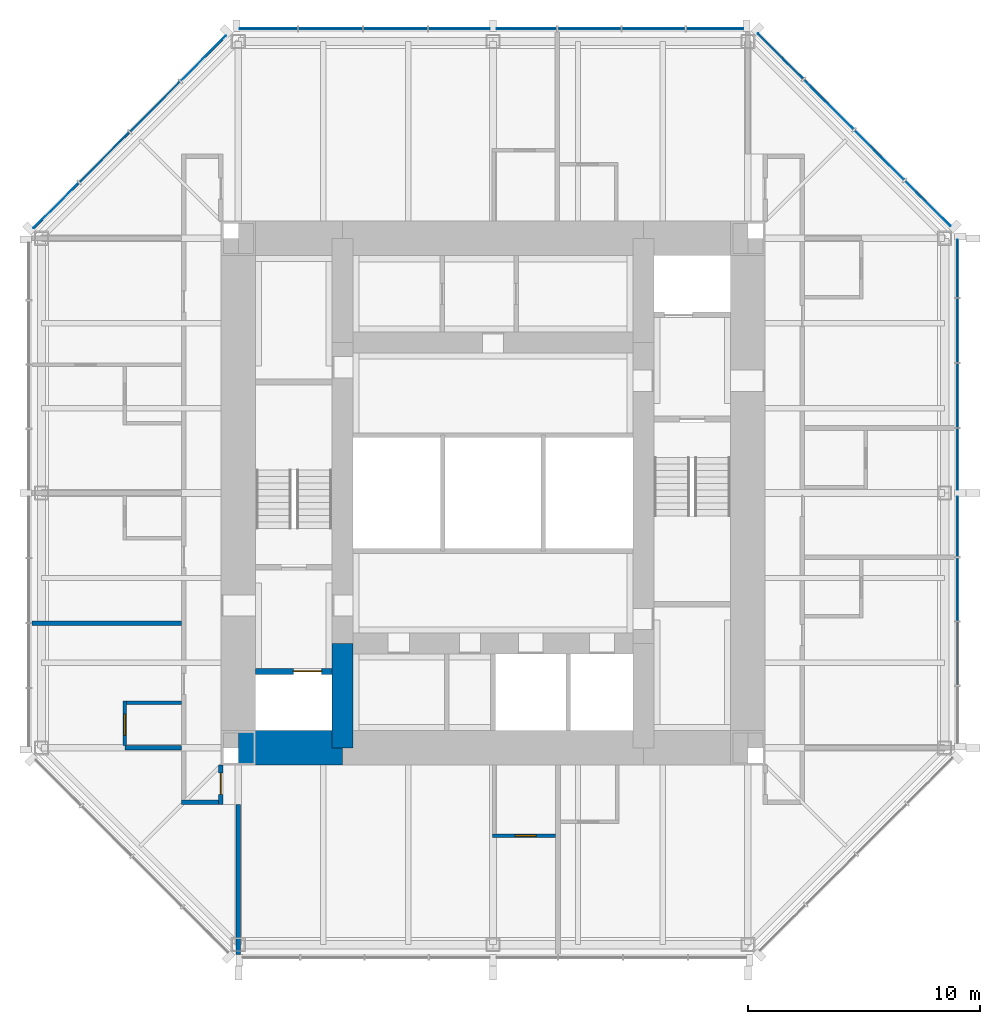
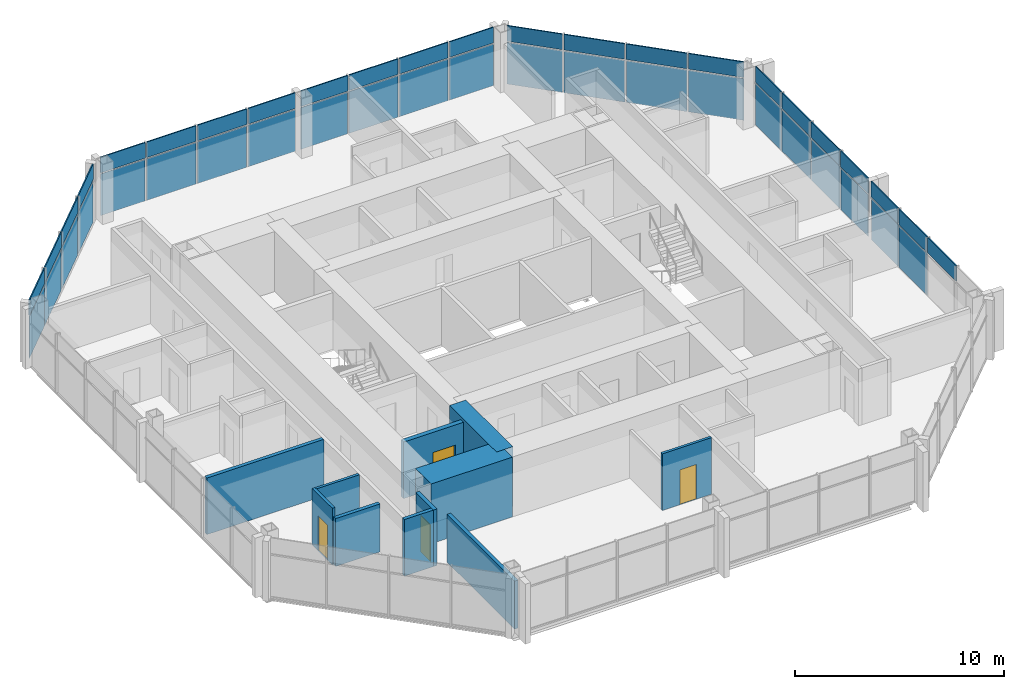
# One storey, part 7 of 11: 45 plates, 11 walls, 4 doors, 4 openings, 4 elements without a shape of their own.
"""IFC4 building model written with IfcOpenShell, lengths in metres."""

from ifc_helpers import new_model, si_unit, direction, frame, frame_2d, origin, origin_2d, place, context, subcontext, project, spatial, rectangle, extrude, material, layer, layer_set, type_object, element, fill, aggregate, save


model = new_model("IFC4")

# Units and contexts
model_context = context("Model", 3, precision=1e-05, world=origin(), true_north=direction((0.0, 1.0)))
body_context = subcontext(model_context, "Body", "Model", "MODEL_VIEW")
ifc_project = project(units=[si_unit("LENGTHUNIT", "METRE"), si_unit("AREAUNIT", "SQUARE_METRE"), si_unit("VOLUMEUNIT", "CUBIC_METRE"), si_unit("PLANEANGLEUNIT", "RADIAN"), si_unit("MASSUNIT", "GRAM", prefix="KILO")], contexts=[model_context])

# Site, building, storey
site_placement = place(None, origin())
site = spatial("IfcSite", under=ifc_project, at=site_placement, CompositionType="ELEMENT")
building_placement = place(site_placement, origin())
building = spatial("IfcBuilding", under=site, at=building_placement, Name="Trevanion Tower", CompositionType="ELEMENT")
storey_placement = place(building_placement, frame((0.0, 0.0, 246.699951171875)))
storey = spatial("IfcBuildingStorey", under=building, at=storey_placement, Name="L60", CompositionType="ELEMENT", Elevation=246.699951171875)

# Curtain wall, plates
ifc_material_1 = material(Name="Aluminium and glass", Category="aluminium")
curtain_wall_type = type_object("IfcCurtainWallType", Name="CW3 curtain wall", PredefinedType="USERDEFINED", material=ifc_material_1)
curtain_wall_1_placement = place(storey_placement, origin())
curtain_wall_1 = element("IfcCurtainWall", 1, at=curtain_wall_1_placement, inside=storey, type_object=curtain_wall_type, Name="CW3 L60 0", ObjectType="UNITISED CURTAIN WALL", PredefinedType="USERDEFINED")
ifc_material_2 = material(Name="Aluminium spandrel panel", Category="aluminium")
ifc_layer_1 = layer(ifc_material_2, 0.06005859375)
ifc_layer_set_1 = layer_set([ifc_layer_1], Name="CW3 spandrel panel")
plate_type_1 = type_object("IfcPlateType", Name="CW3 spandrel panel", PredefinedType="CURTAIN_PANEL", material=ifc_layer_set_1)
plate_1_placement = place(storey_placement, frame((20.050048828125, -6.93603515625, 2.3974609375), z_axis=(0.0, 0.0, 1.0), x_axis=(0.0, 1.0, 0.0)))
plate_1 = element("IfcPlate", 2, at=plate_1_placement, type_object=plate_type_1, Name="CW3 panel 2.2", PredefinedType="CURTAIN_PANEL", context=body_context, shape_type="SweptSolid", body=[
    extrude(rectangle(XDim=2.699462890625, YDim=0.06005859375, at=origin_2d()), origin(), (0.0, 0.0, 1.0), 0.91259765625),
])
plate_2_placement = place(storey_placement, frame((20.050048828125, -4.16162109375, 2.3974609375), z_axis=(0.0, 0.0, 1.0), x_axis=(0.0, 1.0, 0.0)))
plate_2 = element("IfcPlate", 3, at=plate_2_placement, type_object=plate_type_1, Name="CW3 panel 3.2", PredefinedType="CURTAIN_PANEL", context=body_context, shape_type="SweptSolid", body=[
    extrude(rectangle(XDim=2.699462890625, YDim=0.06005859375, at=origin_2d()), origin(), (0.0, 0.0, 1.0), 0.91259765625),
])
plate_3_placement = place(storey_placement, frame((20.050048828125, -1.443603515625, 2.3974609375), z_axis=(0.0, 0.0, 1.0), x_axis=(0.0, 1.0, 0.0)))
plate_3 = element("IfcPlate", 4, at=plate_3_placement, type_object=plate_type_1, Name="CW3 panel 4.2", PredefinedType="CURTAIN_PANEL", context=body_context, shape_type="SweptSolid", body=[
    extrude(rectangle(XDim=2.5869140625, YDim=0.06005859375, at=origin_2d()), origin(), (0.0, 0.0, 1.0), 0.91259765625),
])
plate_4_placement = place(storey_placement, frame((20.050048828125, 1.459716796875, 2.3974609375), z_axis=(0.0, 0.0, 1.0), x_axis=(0.0, 1.0, 0.0)))
plate_4 = element("IfcPlate", 5, at=plate_4_placement, type_object=plate_type_1, Name="CW3 panel 5.2", PredefinedType="CURTAIN_PANEL", context=body_context, shape_type="SweptSolid", body=[
    extrude(rectangle(XDim=2.619384765625, YDim=0.06005859375, at=origin_2d()), origin(), (0.0, 0.0, 1.0), 0.91259765625),
])
plate_5_placement = place(storey_placement, frame((20.050048828125, 4.21044921875, 2.3974609375), z_axis=(0.0, 0.0, 1.0), x_axis=(0.0, 1.0, 0.0)))
plate_5 = element("IfcPlate", 6, at=plate_5_placement, type_object=plate_type_1, Name="CW3 panel 6.2", PredefinedType="CURTAIN_PANEL", context=body_context, shape_type="SweptSolid", body=[
    extrude(rectangle(XDim=2.73193359375, YDim=0.06005859375, at=origin_2d()), origin(), (0.0, 0.0, 1.0), 0.91259765625),
])
plate_6_placement = place(storey_placement, frame((20.050048828125, 7.017333984375, 2.3974609375), z_axis=(0.0, 0.0, 1.0), x_axis=(0.0, 1.0, 0.0)))
plate_6 = element("IfcPlate", 7, at=plate_6_placement, type_object=plate_type_1, Name="CW3 panel 7.2", PredefinedType="CURTAIN_PANEL", context=body_context, shape_type="SweptSolid", body=[
    extrude(rectangle(XDim=2.73193359375, YDim=0.06005859375, at=origin_2d()), origin(), (0.0, 0.0, 1.0), 0.91259765625),
])
plate_7_placement = place(storey_placement, frame((20.050048828125, 9.693115234375, 2.3974609375), z_axis=(0.0, 0.0, 1.0), x_axis=(0.0, 1.0, 0.0)))
plate_7 = element("IfcPlate", 8, at=plate_7_placement, type_object=plate_type_1, Name="CW3 panel 8.2", PredefinedType="CURTAIN_PANEL", context=body_context, shape_type="SweptSolid", body=[
    extrude(rectangle(XDim=2.469482421875, YDim=0.06005859375, at=origin_2d()), origin(), (0.0, 0.0, 1.0), 0.91259765625),
])

curtain_wall_2_placement = place(storey_placement, origin())
curtain_wall_2 = element("IfcCurtainWall", 9, at=curtain_wall_2_placement, inside=storey, type_object=curtain_wall_type, Name="CW3 L60 1", ObjectType="UNITISED CURTAIN WALL", PredefinedType="USERDEFINED")
plate_8_placement = place(storey_placement, frame((18.77392578125, 12.50390625, 2.3974609375), z_axis=(0.0, 0.0, 1.0), x_axis=(-0.707106781187, 0.707106781187, 0.0)))
plate_8 = element("IfcPlate", 10, at=plate_8_placement, type_object=plate_type_1, Name="CW3 panel 1.2", PredefinedType="CURTAIN_PANEL", context=body_context, shape_type="SweptSolid", body=[
    extrude(rectangle(XDim=2.7490234375, YDim=0.06005859375, at=origin_2d()), origin(), (0.0, 0.0, 1.0), 0.91259765625),
])
plate_9_placement = place(storey_placement, frame((16.68408203125, 14.593505859375, 2.3974609375), z_axis=(0.0, 0.0, 1.0), x_axis=(-0.707106781187, 0.707106781187, 0.0)))
plate_9 = element("IfcPlate", 11, at=plate_9_placement, type_object=plate_type_1, Name="CW3 panel 2.2", PredefinedType="CURTAIN_PANEL", context=body_context, shape_type="SweptSolid", body=[
    extrude(rectangle(XDim=3.01171875, YDim=0.06005859375, at=origin_2d()), origin(), (0.0, 0.0, 1.0), 0.91259765625),
])
plate_10_placement = place(storey_placement, frame((14.501708984375, 16.776123046875, 2.3974609375), z_axis=(0.0, 0.0, 1.0), x_axis=(-0.707106781187, 0.707106781187, 0.0)))
plate_10 = element("IfcPlate", 12, at=plate_10_placement, type_object=plate_type_1, Name="CW3 panel 3.2", PredefinedType="CURTAIN_PANEL", context=body_context, shape_type="SweptSolid", body=[
    extrude(rectangle(XDim=3.01171875, YDim=0.06005859375, at=origin_2d()), origin(), (0.0, 0.0, 1.0), 0.91259765625),
])
plate_11_placement = place(storey_placement, frame((12.411865234375, 18.865966796875, 2.3974609375), z_axis=(0.0, 0.0, 1.0), x_axis=(-0.707106781187, 0.707106781187, 0.0)))
plate_11 = element("IfcPlate", 13, at=plate_11_placement, type_object=plate_type_1, Name="CW3 panel 4.2", PredefinedType="CURTAIN_PANEL", context=body_context, shape_type="SweptSolid", body=[
    extrude(rectangle(XDim=2.7490234375, YDim=0.06005859375, at=origin_2d()), origin(), (0.0, 0.0, 1.0), 0.91259765625),
])

curtain_wall_3_placement = place(storey_placement, origin())
curtain_wall_3 = element("IfcCurtainWall", 14, at=curtain_wall_3_placement, inside=storey, type_object=curtain_wall_type, Name="CW3 L60 2", ObjectType="UNITISED CURTAIN WALL", PredefinedType="USERDEFINED")
plate_12_placement = place(storey_placement, frame((9.579345703125, 20.050048828125, 2.3974609375), z_axis=(0.0, 0.0, 1.0), x_axis=(-1.0, 0.0, 0.0)))
plate_12 = element("IfcPlate", 15, at=plate_12_placement, type_object=plate_type_1, Name="CW3 panel 1.2", PredefinedType="CURTAIN_PANEL", context=body_context, shape_type="SweptSolid", body=[
    extrude(rectangle(XDim=2.43701171875, YDim=0.06005859375, at=origin_2d()), origin(), (0.0, 0.0, 1.0), 0.91259765625),
])
plate_13_placement = place(storey_placement, frame((6.93603515625, 20.050048828125, 2.3974609375), z_axis=(0.0, 0.0, 1.0), x_axis=(-1.0, 0.0, 0.0)))
plate_13 = element("IfcPlate", 16, at=plate_13_placement, type_object=plate_type_1, Name="CW3 panel 2.2", PredefinedType="CURTAIN_PANEL", context=body_context, shape_type="SweptSolid", body=[
    extrude(rectangle(XDim=2.699462890625, YDim=0.06005859375, at=origin_2d()), origin(), (0.0, 0.0, 1.0), 0.91259765625),
])
plate_14_placement = place(storey_placement, frame((4.16162109375, 20.050048828125, 2.3974609375), z_axis=(0.0, 0.0, 1.0), x_axis=(-1.0, 0.0, 0.0)))
plate_14 = element("IfcPlate", 17, at=plate_14_placement, type_object=plate_type_1, Name="CW3 panel 3.2", PredefinedType="CURTAIN_PANEL", context=body_context, shape_type="SweptSolid", body=[
    extrude(rectangle(XDim=2.699462890625, YDim=0.06005859375, at=origin_2d()), origin(), (0.0, 0.0, 1.0), 0.91259765625),
])
plate_15_placement = place(storey_placement, frame((1.443603515625, 20.050048828125, 2.3974609375), z_axis=(0.0, 0.0, 1.0), x_axis=(-1.0, 0.0, 0.0)))
plate_15 = element("IfcPlate", 18, at=plate_15_placement, type_object=plate_type_1, Name="CW3 panel 4.2", PredefinedType="CURTAIN_PANEL", context=body_context, shape_type="SweptSolid", body=[
    extrude(rectangle(XDim=2.5869140625, YDim=0.06005859375, at=origin_2d()), origin(), (0.0, 0.0, 1.0), 0.91259765625),
])
plate_16_placement = place(storey_placement, frame((-1.459716796875, 20.050048828125, 2.3974609375), z_axis=(0.0, 0.0, 1.0), x_axis=(-1.0, 0.0, 0.0)))
plate_16 = element("IfcPlate", 19, at=plate_16_placement, type_object=plate_type_1, Name="CW3 panel 5.2", PredefinedType="CURTAIN_PANEL", context=body_context, shape_type="SweptSolid", body=[
    extrude(rectangle(XDim=2.619384765625, YDim=0.06005859375, at=origin_2d()), origin(), (0.0, 0.0, 1.0), 0.91259765625),
])
plate_17_placement = place(storey_placement, frame((-4.21044921875, 20.050048828125, 2.3974609375), z_axis=(0.0, 0.0, 1.0), x_axis=(-1.0, 0.0, 0.0)))
plate_17 = element("IfcPlate", 20, at=plate_17_placement, type_object=plate_type_1, Name="CW3 panel 6.2", PredefinedType="CURTAIN_PANEL", context=body_context, shape_type="SweptSolid", body=[
    extrude(rectangle(XDim=2.73193359375, YDim=0.06005859375, at=origin_2d()), origin(), (0.0, 0.0, 1.0), 0.91259765625),
])
plate_18_placement = place(storey_placement, frame((-7.017333984375, 20.050048828125, 2.3974609375), z_axis=(0.0, 0.0, 1.0), x_axis=(-1.0, 0.0, 0.0)))
plate_18 = element("IfcPlate", 21, at=plate_18_placement, type_object=plate_type_1, Name="CW3 panel 7.2", PredefinedType="CURTAIN_PANEL", context=body_context, shape_type="SweptSolid", body=[
    extrude(rectangle(XDim=2.73193359375, YDim=0.06005859375, at=origin_2d()), origin(), (0.0, 0.0, 1.0), 0.91259765625),
])
plate_19_placement = place(storey_placement, frame((-9.693115234375, 20.050048828125, 2.3974609375), z_axis=(0.0, 0.0, 1.0), x_axis=(-1.0, 0.0, 0.0)))
plate_19 = element("IfcPlate", 22, at=plate_19_placement, type_object=plate_type_1, Name="CW3 panel 8.2", PredefinedType="CURTAIN_PANEL", context=body_context, shape_type="SweptSolid", body=[
    extrude(rectangle(XDim=2.469482421875, YDim=0.06005859375, at=origin_2d()), origin(), (0.0, 0.0, 1.0), 0.91259765625),
])

curtain_wall_4_placement = place(storey_placement, origin())
curtain_wall_4 = element("IfcCurtainWall", 23, at=curtain_wall_4_placement, inside=storey, type_object=curtain_wall_type, Name="CW3 L60 3", ObjectType="UNITISED CURTAIN WALL", PredefinedType="USERDEFINED")
plate_20_placement = place(storey_placement, frame((-12.50390625, 18.77392578125, 2.3974609375), z_axis=(0.0, 0.0, 1.0), x_axis=(-0.707106781187, -0.707106781187, 0.0)))
plate_20 = element("IfcPlate", 24, at=plate_20_placement, type_object=plate_type_1, Name="CW3 panel 1.2", PredefinedType="CURTAIN_PANEL", context=body_context, shape_type="SweptSolid", body=[
    extrude(rectangle(XDim=2.7490234375, YDim=0.06005859375, at=origin_2d()), origin(), (0.0, 0.0, 1.0), 0.91259765625),
])
plate_21_placement = place(storey_placement, frame((-14.593505859375, 16.68408203125, 2.3974609375), z_axis=(0.0, 0.0, 1.0), x_axis=(-0.707106781187, -0.707106781187, 0.0)))
plate_21 = element("IfcPlate", 25, at=plate_21_placement, type_object=plate_type_1, Name="CW3 panel 2.2", PredefinedType="CURTAIN_PANEL", context=body_context, shape_type="SweptSolid", body=[
    extrude(rectangle(XDim=3.01171875, YDim=0.06005859375, at=origin_2d()), origin(), (0.0, 0.0, 1.0), 0.91259765625),
])
plate_22_placement = place(storey_placement, frame((-16.776123046875, 14.501708984375, 2.3974609375), z_axis=(0.0, 0.0, 1.0), x_axis=(-0.707106781187, -0.707106781187, 0.0)))
plate_22 = element("IfcPlate", 26, at=plate_22_placement, type_object=plate_type_1, Name="CW3 panel 3.2", PredefinedType="CURTAIN_PANEL", context=body_context, shape_type="SweptSolid", body=[
    extrude(rectangle(XDim=3.01171875, YDim=0.06005859375, at=origin_2d()), origin(), (0.0, 0.0, 1.0), 0.91259765625),
])
plate_23_placement = place(storey_placement, frame((-18.865966796875, 12.411865234375, 2.3974609375), z_axis=(0.0, 0.0, 1.0), x_axis=(-0.707106781187, -0.707106781187, 0.0)))
plate_23 = element("IfcPlate", 27, at=plate_23_placement, type_object=plate_type_1, Name="CW3 panel 4.2", PredefinedType="CURTAIN_PANEL", context=body_context, shape_type="SweptSolid", body=[
    extrude(rectangle(XDim=2.7490234375, YDim=0.06005859375, at=origin_2d()), origin(), (0.0, 0.0, 1.0), 0.91259765625),
])

# Plate
ifc_material_3 = material(Name="Insulating glass unit", Category="glass")
ifc_layer_2 = layer(ifc_material_3, 0.028076171875)
ifc_layer_set_2 = layer_set([ifc_layer_2], Name="CW3 vision panel")
plate_type_2 = type_object("IfcPlateType", Name="CW3 vision panel", PredefinedType="CURTAIN_PANEL", material=ifc_layer_set_2)
plate_24_placement = place(storey_placement, frame((20.050048828125, -4.16162109375, -0.114990234375), z_axis=(0.0, 0.0, 1.0), x_axis=(0.0, 1.0, 0.0)))
plate_24 = element("IfcPlate", 28, at=plate_24_placement, type_object=plate_type_2, Name="CW3 panel 3.1", PredefinedType="CURTAIN_PANEL", context=body_context, shape_type="SweptSolid", body=[
    extrude(rectangle(XDim=2.699462890625, YDim=0.028076171875, at=origin_2d()), origin(), (0.0, 0.0, 1.0), 2.4375),
])

plate_25_placement = place(storey_placement, frame((20.050048828125, -1.443603515625, -0.114990234375), z_axis=(0.0, 0.0, 1.0), x_axis=(0.0, 1.0, 0.0)))
plate_25 = element("IfcPlate", 29, at=plate_25_placement, type_object=plate_type_2, Name="CW3 panel 4.1", PredefinedType="CURTAIN_PANEL", context=body_context, shape_type="SweptSolid", body=[
    extrude(rectangle(XDim=2.5869140625, YDim=0.028076171875, at=origin_2d()), origin(), (0.0, 0.0, 1.0), 2.4375),
])

plate_26_placement = place(storey_placement, frame((20.050048828125, 1.459716796875, -0.114990234375), z_axis=(0.0, 0.0, 1.0), x_axis=(0.0, 1.0, 0.0)))
plate_26 = element("IfcPlate", 30, at=plate_26_placement, type_object=plate_type_2, Name="CW3 panel 5.1", PredefinedType="CURTAIN_PANEL", context=body_context, shape_type="SweptSolid", body=[
    extrude(rectangle(XDim=2.619384765625, YDim=0.028076171875, at=origin_2d()), origin(), (0.0, 0.0, 1.0), 2.4375),
])

plate_27_placement = place(storey_placement, frame((20.050048828125, 4.21044921875, -0.114990234375), z_axis=(0.0, 0.0, 1.0), x_axis=(0.0, 1.0, 0.0)))
plate_27 = element("IfcPlate", 31, at=plate_27_placement, type_object=plate_type_2, Name="CW3 panel 6.1", PredefinedType="CURTAIN_PANEL", context=body_context, shape_type="SweptSolid", body=[
    extrude(rectangle(XDim=2.73193359375, YDim=0.028076171875, at=origin_2d()), origin(), (0.0, 0.0, 1.0), 2.4375),
])

plate_28_placement = place(storey_placement, frame((20.050048828125, 7.017333984375, -0.114990234375), z_axis=(0.0, 0.0, 1.0), x_axis=(0.0, 1.0, 0.0)))
plate_28 = element("IfcPlate", 32, at=plate_28_placement, type_object=plate_type_2, Name="CW3 panel 7.1", PredefinedType="CURTAIN_PANEL", context=body_context, shape_type="SweptSolid", body=[
    extrude(rectangle(XDim=2.73193359375, YDim=0.028076171875, at=origin_2d()), origin(), (0.0, 0.0, 1.0), 2.4375),
])

plate_29_placement = place(storey_placement, frame((20.050048828125, 9.693115234375, -0.114990234375), z_axis=(0.0, 0.0, 1.0), x_axis=(0.0, 1.0, 0.0)))
plate_29 = element("IfcPlate", 33, at=plate_29_placement, type_object=plate_type_2, Name="CW3 panel 8.1", PredefinedType="CURTAIN_PANEL", context=body_context, shape_type="SweptSolid", body=[
    extrude(rectangle(XDim=2.469482421875, YDim=0.028076171875, at=origin_2d()), origin(), (0.0, 0.0, 1.0), 2.4375),
])

aggregate(curtain_wall_1, [plate_1, plate_24, plate_2, plate_25, plate_3, plate_26, plate_4, plate_27, plate_5, plate_28, plate_6, plate_29, plate_7])

plate_30_placement = place(storey_placement, frame((18.77392578125, 12.50390625, -0.114990234375), z_axis=(0.0, 0.0, 1.0), x_axis=(-0.707106781187, 0.707106781187, 0.0)))
plate_30 = element("IfcPlate", 34, at=plate_30_placement, type_object=plate_type_2, Name="CW3 panel 1.1", PredefinedType="CURTAIN_PANEL", context=body_context, shape_type="SweptSolid", body=[
    extrude(rectangle(XDim=2.7490234375, YDim=0.028076171875, at=origin_2d()), origin(), (0.0, 0.0, 1.0), 2.4375),
])

plate_31_placement = place(storey_placement, frame((16.68408203125, 14.593505859375, -0.114990234375), z_axis=(0.0, 0.0, 1.0), x_axis=(-0.707106781187, 0.707106781187, 0.0)))
plate_31 = element("IfcPlate", 35, at=plate_31_placement, type_object=plate_type_2, Name="CW3 panel 2.1", PredefinedType="CURTAIN_PANEL", context=body_context, shape_type="SweptSolid", body=[
    extrude(rectangle(XDim=3.01171875, YDim=0.028076171875, at=origin_2d()), origin(), (0.0, 0.0, 1.0), 2.4375),
])

plate_32_placement = place(storey_placement, frame((14.501708984375, 16.776123046875, -0.114990234375), z_axis=(0.0, 0.0, 1.0), x_axis=(-0.707106781187, 0.707106781187, 0.0)))
plate_32 = element("IfcPlate", 36, at=plate_32_placement, type_object=plate_type_2, Name="CW3 panel 3.1", PredefinedType="CURTAIN_PANEL", context=body_context, shape_type="SweptSolid", body=[
    extrude(rectangle(XDim=3.01171875, YDim=0.028076171875, at=origin_2d()), origin(), (0.0, 0.0, 1.0), 2.4375),
])

plate_33_placement = place(storey_placement, frame((12.411865234375, 18.865966796875, -0.114990234375), z_axis=(0.0, 0.0, 1.0), x_axis=(-0.707106781187, 0.707106781187, 0.0)))
plate_33 = element("IfcPlate", 37, at=plate_33_placement, type_object=plate_type_2, Name="CW3 panel 4.1", PredefinedType="CURTAIN_PANEL", context=body_context, shape_type="SweptSolid", body=[
    extrude(rectangle(XDim=2.7490234375, YDim=0.028076171875, at=origin_2d()), origin(), (0.0, 0.0, 1.0), 2.4375),
])

aggregate(curtain_wall_2, [plate_30, plate_8, plate_31, plate_9, plate_32, plate_10, plate_33, plate_11])

plate_34_placement = place(storey_placement, frame((9.579345703125, 20.050048828125, -0.114990234375), z_axis=(0.0, 0.0, 1.0), x_axis=(-1.0, 0.0, 0.0)))
plate_34 = element("IfcPlate", 38, at=plate_34_placement, type_object=plate_type_2, Name="CW3 panel 1.1", PredefinedType="CURTAIN_PANEL", context=body_context, shape_type="SweptSolid", body=[
    extrude(rectangle(XDim=2.43701171875, YDim=0.028076171875, at=origin_2d()), origin(), (0.0, 0.0, 1.0), 2.4375),
])

plate_35_placement = place(storey_placement, frame((6.93603515625, 20.050048828125, -0.114990234375), z_axis=(0.0, 0.0, 1.0), x_axis=(-1.0, 0.0, 0.0)))
plate_35 = element("IfcPlate", 39, at=plate_35_placement, type_object=plate_type_2, Name="CW3 panel 2.1", PredefinedType="CURTAIN_PANEL", context=body_context, shape_type="SweptSolid", body=[
    extrude(rectangle(XDim=2.699462890625, YDim=0.028076171875, at=origin_2d()), origin(), (0.0, 0.0, 1.0), 2.4375),
])

plate_36_placement = place(storey_placement, frame((4.16162109375, 20.050048828125, -0.114990234375), z_axis=(0.0, 0.0, 1.0), x_axis=(-1.0, 0.0, 0.0)))
plate_36 = element("IfcPlate", 40, at=plate_36_placement, type_object=plate_type_2, Name="CW3 panel 3.1", PredefinedType="CURTAIN_PANEL", context=body_context, shape_type="SweptSolid", body=[
    extrude(rectangle(XDim=2.699462890625, YDim=0.028076171875, at=origin_2d()), origin(), (0.0, 0.0, 1.0), 2.4375),
])

plate_37_placement = place(storey_placement, frame((1.443603515625, 20.050048828125, -0.114990234375), z_axis=(0.0, 0.0, 1.0), x_axis=(-1.0, 0.0, 0.0)))
plate_37 = element("IfcPlate", 41, at=plate_37_placement, type_object=plate_type_2, Name="CW3 panel 4.1", PredefinedType="CURTAIN_PANEL", context=body_context, shape_type="SweptSolid", body=[
    extrude(rectangle(XDim=2.5869140625, YDim=0.028076171875, at=origin_2d()), origin(), (0.0, 0.0, 1.0), 2.4375),
])

plate_38_placement = place(storey_placement, frame((-1.459716796875, 20.050048828125, -0.114990234375), z_axis=(0.0, 0.0, 1.0), x_axis=(-1.0, 0.0, 0.0)))
plate_38 = element("IfcPlate", 42, at=plate_38_placement, type_object=plate_type_2, Name="CW3 panel 5.1", PredefinedType="CURTAIN_PANEL", context=body_context, shape_type="SweptSolid", body=[
    extrude(rectangle(XDim=2.619384765625, YDim=0.028076171875, at=origin_2d()), origin(), (0.0, 0.0, 1.0), 2.4375),
])

plate_39_placement = place(storey_placement, frame((-4.21044921875, 20.050048828125, -0.114990234375), z_axis=(0.0, 0.0, 1.0), x_axis=(-1.0, 0.0, 0.0)))
plate_39 = element("IfcPlate", 43, at=plate_39_placement, type_object=plate_type_2, Name="CW3 panel 6.1", PredefinedType="CURTAIN_PANEL", context=body_context, shape_type="SweptSolid", body=[
    extrude(rectangle(XDim=2.73193359375, YDim=0.028076171875, at=origin_2d()), origin(), (0.0, 0.0, 1.0), 2.4375),
])

plate_40_placement = place(storey_placement, frame((-7.017333984375, 20.050048828125, -0.114990234375), z_axis=(0.0, 0.0, 1.0), x_axis=(-1.0, 0.0, 0.0)))
plate_40 = element("IfcPlate", 44, at=plate_40_placement, type_object=plate_type_2, Name="CW3 panel 7.1", PredefinedType="CURTAIN_PANEL", context=body_context, shape_type="SweptSolid", body=[
    extrude(rectangle(XDim=2.73193359375, YDim=0.028076171875, at=origin_2d()), origin(), (0.0, 0.0, 1.0), 2.4375),
])

plate_41_placement = place(storey_placement, frame((-9.693115234375, 20.050048828125, -0.114990234375), z_axis=(0.0, 0.0, 1.0), x_axis=(-1.0, 0.0, 0.0)))
plate_41 = element("IfcPlate", 45, at=plate_41_placement, type_object=plate_type_2, Name="CW3 panel 8.1", PredefinedType="CURTAIN_PANEL", context=body_context, shape_type="SweptSolid", body=[
    extrude(rectangle(XDim=2.469482421875, YDim=0.028076171875, at=origin_2d()), origin(), (0.0, 0.0, 1.0), 2.4375),
])

aggregate(curtain_wall_3, [plate_34, plate_12, plate_35, plate_13, plate_36, plate_14, plate_37, plate_15, plate_38, plate_16, plate_39, plate_17, plate_40, plate_18, plate_41, plate_19])

plate_42_placement = place(storey_placement, frame((-12.50390625, 18.77392578125, -0.114990234375), z_axis=(0.0, 0.0, 1.0), x_axis=(-0.707106781187, -0.707106781187, 0.0)))
plate_42 = element("IfcPlate", 46, at=plate_42_placement, type_object=plate_type_2, Name="CW3 panel 1.1", PredefinedType="CURTAIN_PANEL", context=body_context, shape_type="SweptSolid", body=[
    extrude(rectangle(XDim=2.7490234375, YDim=0.028076171875, at=origin_2d()), origin(), (0.0, 0.0, 1.0), 2.4375),
])

plate_43_placement = place(storey_placement, frame((-14.593505859375, 16.68408203125, -0.114990234375), z_axis=(0.0, 0.0, 1.0), x_axis=(-0.707106781187, -0.707106781187, 0.0)))
plate_43 = element("IfcPlate", 47, at=plate_43_placement, type_object=plate_type_2, Name="CW3 panel 2.1", PredefinedType="CURTAIN_PANEL", context=body_context, shape_type="SweptSolid", body=[
    extrude(rectangle(XDim=3.01171875, YDim=0.028076171875, at=origin_2d()), origin(), (0.0, 0.0, 1.0), 2.4375),
])

plate_44_placement = place(storey_placement, frame((-16.776123046875, 14.501708984375, -0.114990234375), z_axis=(0.0, 0.0, 1.0), x_axis=(-0.707106781187, -0.707106781187, 0.0)))
plate_44 = element("IfcPlate", 48, at=plate_44_placement, type_object=plate_type_2, Name="CW3 panel 3.1", PredefinedType="CURTAIN_PANEL", context=body_context, shape_type="SweptSolid", body=[
    extrude(rectangle(XDim=3.01171875, YDim=0.028076171875, at=origin_2d()), origin(), (0.0, 0.0, 1.0), 2.4375),
])

plate_45_placement = place(storey_placement, frame((-18.865966796875, 12.411865234375, -0.114990234375), z_axis=(0.0, 0.0, 1.0), x_axis=(-0.707106781187, -0.707106781187, 0.0)))
plate_45 = element("IfcPlate", 49, at=plate_45_placement, type_object=plate_type_2, Name="CW3 panel 4.1", PredefinedType="CURTAIN_PANEL", context=body_context, shape_type="SweptSolid", body=[
    extrude(rectangle(XDim=2.7490234375, YDim=0.028076171875, at=origin_2d()), origin(), (0.0, 0.0, 1.0), 2.4375),
])

aggregate(curtain_wall_4, [plate_42, plate_20, plate_43, plate_21, plate_44, plate_22, plate_45, plate_23])

# Walls
ifc_material_4 = material(Name="Concrete 10,000 psi", Category="concrete")
ifc_layer_3 = layer(ifc_material_4, 1.5)
ifc_layer_set_3 = layer_set([ifc_layer_3], Name="CW1 core wall 1500")
wall_type_1 = type_object("IfcWallType", Name="CW1 core wall 1500", PredefinedType="SHEAR", material=ifc_layer_set_3)
wall_1_placement = place(storey_placement, frame((-11.0, -11.0, 0.0), z_axis=(0.0, 0.0, 1.0), x_axis=(1.0, 0.0, 0.0)))
element("IfcWall", 50, at=wall_1_placement, inside=storey, type_object=wall_type_1, Name="CW1 CS1 L60", PredefinedType="SHEAR", context=body_context, shape_type="SweptSolid", body=[
    extrude(rectangle(XDim=4.5, YDim=1.5, at=frame_2d((2.25, 0.0))), origin(), (0.0, 0.0, 1.0), 3.5),
])
ifc_material_5 = material(Name="Concrete 10,000 psi", Category="concrete")
ifc_layer_4 = layer(ifc_material_5, 0.89990234375)
ifc_layer_set_4 = layer_set([ifc_layer_4], Name="CW2 core wall 900")
wall_type_2 = type_object("IfcWallType", Name="CW2 core wall 900", PredefinedType="SHEAR", material=ifc_layer_set_4)
wall_2_placement = place(storey_placement, frame((-6.5, -6.5, 0.0), z_axis=(0.0, 0.0, 1.0), x_axis=(0.0, -1.0, 0.0)))
element("IfcWall", 51, at=wall_2_placement, inside=storey, type_object=wall_type_2, Name="CW2 RW3 L60", PredefinedType="SHEAR", context=body_context, shape_type="SweptSolid", body=[
    extrude(rectangle(XDim=4.5, YDim=0.89990234375, at=frame_2d((2.25, 0.0))), origin(), (0.0, 0.0, 1.0), 3.5),
])

# Wall, opening, door
ifc_material_6 = material(Name="Gypsum board on steel studs", Category="steel")
ifc_layer_5 = layer(ifc_material_6, 0.14990234375)
ifc_layer_set_5 = layer_set([ifc_layer_5], Name="PT1 partition 150")
wall_type_3 = type_object("IfcWallType", Name="PT1 partition 150", PredefinedType="PARTITIONING", material=ifc_layer_set_5)
wall_3_placement = place(storey_placement, frame((-15.89990234375, -8.97509765625, 0.0), z_axis=(0.0, 0.0, 1.0), x_axis=(0.0, -1.0, 0.0)))
wall_3 = element("IfcWall", 52, at=wall_3_placement, inside=storey, type_object=wall_type_3, Name="PT1 L60 BA22", PredefinedType="PARTITIONING", context=body_context, shape_type="SweptSolid", body=[
    extrude(rectangle(XDim=1.9248046875, YDim=0.14990234375, at=frame_2d((0.96240234375, 0.0))), origin(), (0.0, 0.0, 1.0), 3.31005859375),
])
opening_1_placement = place(wall_3_placement, frame((0.5673828125, 0.0, 0.0)))
opening_1 = element("IfcOpeningElement", 53, at=opening_1_placement, cuts=wall_3, Name="Opening 60-033", PredefinedType="OPENING", context=body_context, shape_type="SweptSolid", body=[
    extrude(rectangle(XDim=0.9150390625, YDim=2.031982421875, at=frame_2d((0.45751953125, 1.01611328125))), frame((0.0, 0.0849609375, 0.0), z_axis=(0.0, -1.0, 0.0), x_axis=(1.0, 0.0, 0.0)), (0.0, 0.0, 1.0), 0.169921875),
])
ifc_material_7 = material(Name="Timber veneer", Category="wood")
door_type_1 = type_object("IfcDoorType", Name="D7 bathroom door", OperationType="SINGLE_SWING_LEFT", PredefinedType="DOOR", material=ifc_material_7)
door_1_placement = place(opening_1_placement, origin())
door_1 = element("IfcDoor", 54, at=door_1_placement, inside=storey, type_object=door_type_1, Name="Door 60-033", OperationType="SINGLE_SWING_LEFT", OverallHeight=2.031982421875, OverallWidth=0.9150390625, PredefinedType="DOOR", context=body_context, shape_type="SweptSolid", body=[
    extrude(rectangle(XDim=0.9150390625, YDim=2.031982421875, at=frame_2d((0.45751953125, 1.01611328125))), frame((0.0, 0.02490234375, 0.0), z_axis=(0.0, -1.0, 0.0), x_axis=(1.0, 0.0, 0.0)), (0.0, 0.0, 1.0), 0.050048828125),
])
fill(opening_1, door_1)

# Wall
wall_4_placement = place(storey_placement, frame((-13.449951171875, -9.050048828125, 0.0), z_axis=(0.0, 0.0, 1.0), x_axis=(-1.0, 0.0, 0.0)))
element("IfcWall", 55, at=wall_4_placement, inside=storey, type_object=wall_type_3, Name="PT1 L60 BB22", PredefinedType="PARTITIONING", context=body_context, shape_type="SweptSolid", body=[
    extrude(rectangle(XDim=2.375, YDim=0.14990234375, at=frame_2d((1.1875, 0.0))), origin(), (0.0, 0.0, 1.0), 3.31005859375),
])

# Wall, opening, door
wall_5_placement = place(storey_placement, frame((-0.01806640625, -14.800048828125, 0.0), z_axis=(0.0, 0.0, 1.0), x_axis=(1.0, 0.0, 0.0)))
wall_5 = element("IfcWall", 56, at=wall_5_placement, inside=storey, type_object=wall_type_3, Name="PT1 L60 BA30", PredefinedType="PARTITIONING", context=body_context, shape_type="SweptSolid", body=[
    extrude(rectangle(XDim=2.72509765625, YDim=0.14990234375, at=frame_2d((1.362548828125, 0.0))), origin(), (0.0, 0.0, 1.0), 3.31005859375),
])
opening_2_placement = place(wall_5_placement, frame((0.967529296875, 0.0, 0.0)))
opening_2 = element("IfcOpeningElement", 57, at=opening_2_placement, cuts=wall_5, Name="Opening 60-037", PredefinedType="OPENING", context=body_context, shape_type="SweptSolid", body=[
    extrude(rectangle(XDim=0.9150390625, YDim=2.031982421875, at=frame_2d((0.45751953125, 1.01611328125))), frame((0.0, 0.0849609375, 0.0), z_axis=(0.0, -1.0, 0.0), x_axis=(1.0, 0.0, 0.0)), (0.0, 0.0, 1.0), 0.169921875),
])
door_2_placement = place(opening_2_placement, origin())
door_2 = element("IfcDoor", 58, at=door_2_placement, inside=storey, type_object=door_type_1, Name="Door 60-037", OperationType="SINGLE_SWING_LEFT", OverallHeight=2.031982421875, OverallWidth=0.9150390625, PredefinedType="DOOR", context=body_context, shape_type="SweptSolid", body=[
    extrude(rectangle(XDim=0.9150390625, YDim=2.031982421875, at=frame_2d((0.45751953125, 1.01611328125))), frame((0.0, 0.02490234375, 0.0), z_axis=(0.0, -1.0, 0.0), x_axis=(1.0, 0.0, 0.0)), (0.0, 0.0, 1.0), 0.050048828125),
])
fill(opening_2, door_2)

ifc_material_8 = material(Name="Concrete masonry, grouted", Category="masonry")
ifc_layer_6 = layer(ifc_material_8, 0.199951171875)
ifc_layer_set_6 = layer_set([ifc_layer_6], Name="PT2 partition 200 1 HR")
wall_type_4 = type_object("IfcWallType", Name="PT2 partition 200 1 HR", PredefinedType="PARTITIONING", material=ifc_layer_set_6)
wall_6_placement = place(storey_placement, frame((-11.75, -11.75, 0.0), z_axis=(0.0, 0.0, 1.0), x_axis=(0.0, -1.0, 0.0)))
wall_6 = element("IfcWall", 59, at=wall_6_placement, inside=storey, type_object=wall_type_4, Name="PT2 L60 HO3a", PredefinedType="PARTITIONING", context=body_context, shape_type="SweptSolid", body=[
    extrude(rectangle(XDim=1.699951171875, YDim=0.199951171875, at=frame_2d((0.85009765625, 0.0))), origin(), (0.0, 0.0, 1.0), 3.31005859375),
])
opening_3_placement = place(wall_6_placement, frame((0.342529296875, 0.0, 0.0)))
opening_3 = element("IfcOpeningElement", 60, at=opening_3_placement, cuts=wall_6, Name="Opening 60-035", PredefinedType="OPENING", context=body_context, shape_type="SweptSolid", body=[
    extrude(rectangle(XDim=0.9150390625, YDim=2.134033203125, at=frame_2d((0.45751953125, 1.06689453125))), frame((0.0, 0.10986328125, 0.0), z_axis=(0.0, -1.0, 0.0), x_axis=(1.0, 0.0, 0.0)), (0.0, 0.0, 1.0), 0.219970703125),
])
ifc_material_9 = material(Name="Timber veneer, fire rated", Category="wood")
door_type_2 = type_object("IfcDoorType", Name="D6 guest room entrance door", OperationType="SINGLE_SWING_LEFT", PredefinedType="DOOR", material=ifc_material_9)
door_3_placement = place(opening_3_placement, origin())
door_3 = element("IfcDoor", 61, at=door_3_placement, inside=storey, type_object=door_type_2, Name="Door 60-035", OperationType="SINGLE_SWING_LEFT", OverallHeight=2.134033203125, OverallWidth=0.9150390625, PredefinedType="DOOR", context=body_context, shape_type="SweptSolid", body=[
    extrude(rectangle(XDim=0.9150390625, YDim=2.134033203125, at=frame_2d((0.45751953125, 1.06689453125))), frame((0.0, 0.02490234375, 0.0), z_axis=(0.0, -1.0, 0.0), x_axis=(1.0, 0.0, 0.0)), (0.0, 0.0, 1.0), 0.050048828125),
])
fill(opening_3, door_3)

# Walls
wall_7_placement = place(storey_placement, frame((-13.449951171875, -13.35009765625, 0.0), z_axis=(0.0, 0.0, 1.0), x_axis=(1.0, 0.0, 0.0)))
element("IfcWall", 62, at=wall_7_placement, inside=storey, type_object=wall_type_4, Name="PT2 L60 HC3ca", PredefinedType="PARTITIONING", context=body_context, shape_type="SweptSolid", body=[
    extrude(rectangle(XDim=1.599853515625, YDim=0.199951171875, at=frame_2d((0.7998046875, 0.0))), origin(), (0.0, 0.0, 1.0), 3.31005859375),
])
wall_8_placement = place(storey_placement, frame((-13.449951171875, -5.614013671875, 0.0), z_axis=(0.0, 0.0, 1.0), x_axis=(-1.0, 0.0, 0.0)))
element("IfcWall", 63, at=wall_8_placement, inside=storey, type_object=wall_type_4, Name="PT2 L60 HD22", PredefinedType="PARTITIONING", context=body_context, shape_type="SweptSolid", body=[
    extrude(rectangle(XDim=6.465087890625, YDim=0.199951171875, at=frame_2d((3.232421875, 0.0))), origin(), (0.0, 0.0, 1.0), 3.31005859375),
])
wall_9_placement = place(storey_placement, frame((-13.449951171875, -11.0, 0.0), z_axis=(0.0, 0.0, 1.0), x_axis=(-1.0, 0.0, 0.0)))
element("IfcWall", 64, at=wall_9_placement, inside=storey, type_object=wall_type_4, Name="PT2 L60 BC22", PredefinedType="PARTITIONING", context=body_context, shape_type="SweptSolid", body=[
    extrude(rectangle(XDim=2.449951171875, YDim=0.199951171875, at=frame_2d((1.22509765625, 0.0))), origin(), (0.0, 0.0, 1.0), 2.802001953125),
])
wall_10_placement = place(storey_placement, frame((-11.0, -13.449951171875, 0.0), z_axis=(0.0, 0.0, 1.0), x_axis=(0.0, -1.0, 0.0)))
element("IfcWall", 65, at=wall_10_placement, inside=storey, type_object=wall_type_4, Name="PT2 L60 HD30", PredefinedType="PARTITIONING", context=body_context, shape_type="SweptSolid", body=[
    extrude(rectangle(XDim=6.465087890625, YDim=0.199951171875, at=frame_2d((3.232421875, 0.0))), origin(), (0.0, 0.0, 1.0), 2.802001953125),
])

# Wall, opening, door
ifc_material_10 = material(Name="Concrete masonry, grouted, two-hour", Category="masonry")
ifc_layer_7 = layer(ifc_material_10, 0.25)
ifc_layer_set_7 = layer_set([ifc_layer_7], Name="PT3 partition 250 2 HR")
wall_type_5 = type_object("IfcWallType", Name="PT3 partition 250 2 HR", PredefinedType="PARTITIONING", material=ifc_layer_set_7)
wall_11_placement = place(storey_placement, frame((-6.949951171875, -7.699951171875, 0.0), z_axis=(0.0, 0.0, 1.0), x_axis=(-1.0, 0.0, 0.0)))
wall_11 = element("IfcWall", 66, at=wall_11_placement, inside=storey, type_object=wall_type_5, Name="PT3 L60 WP3", PredefinedType="PARTITIONING", context=body_context, shape_type="SweptSolid", body=[
    extrude(rectangle(XDim=3.300048828125, YDim=0.25, at=frame_2d((1.64990234375, 0.0))), origin(), (0.0, 0.0, 1.0), 3.31005859375),
])
opening_4_placement = place(wall_11_placement, frame((0.449951171875, 0.0, 0.0)))
opening_4 = element("IfcOpeningElement", 67, at=opening_4_placement, cuts=wall_11, Name="Opening 60-008", PredefinedType="OPENING", context=body_context, shape_type="SweptSolid", body=[
    extrude(rectangle(XDim=1.218994140625, YDim=2.134033203125, at=frame_2d((0.609375, 1.06689453125))), frame((0.0, 0.135009765625, 0.0), z_axis=(0.0, -1.0, 0.0), x_axis=(1.0, 0.0, 0.0)), (0.0, 0.0, 1.0), 0.27001953125),
])
ifc_material_11 = material(Name="Stainless steel, fire rated", Category="steel")
door_type_3 = type_object("IfcDoorType", Name="LD2 fire service lift landing door", OperationType="SLIDING_TO_LEFT", PredefinedType="DOOR", material=ifc_material_11)
door_4_placement = place(opening_4_placement, origin())
door_4 = element("IfcDoor", 68, at=door_4_placement, inside=storey, type_object=door_type_3, Name="Door 60-008", OperationType="SLIDING_TO_LEFT", OverallHeight=2.134033203125, OverallWidth=1.218994140625, PredefinedType="DOOR", context=body_context, shape_type="SweptSolid", body=[
    extrude(rectangle(XDim=1.218994140625, YDim=2.134033203125, at=frame_2d((0.609375, 1.06689453125))), frame((0.0, 0.02490234375, 0.0), z_axis=(0.0, -1.0, 0.0), x_axis=(1.0, 0.0, 0.0)), (0.0, 0.0, 1.0), 0.050048828125),
])
fill(opening_4, door_4)

save(model, "model.ifc")
